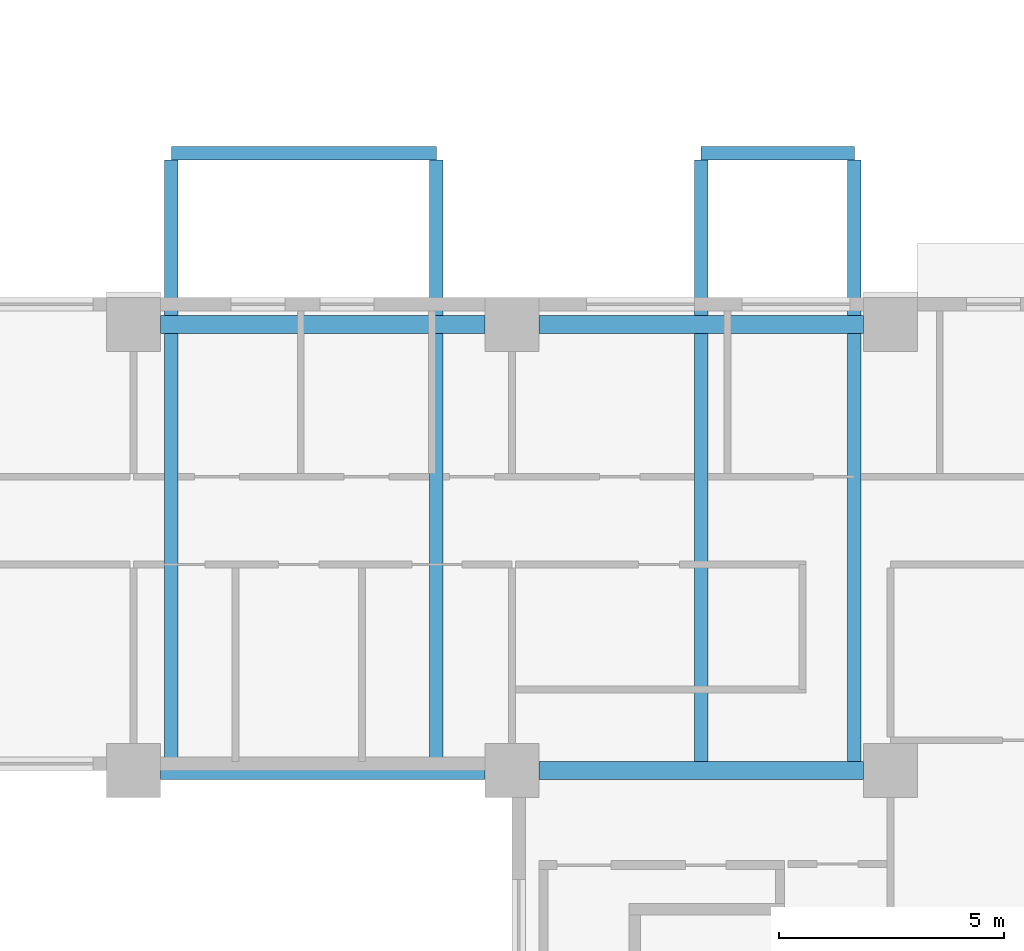
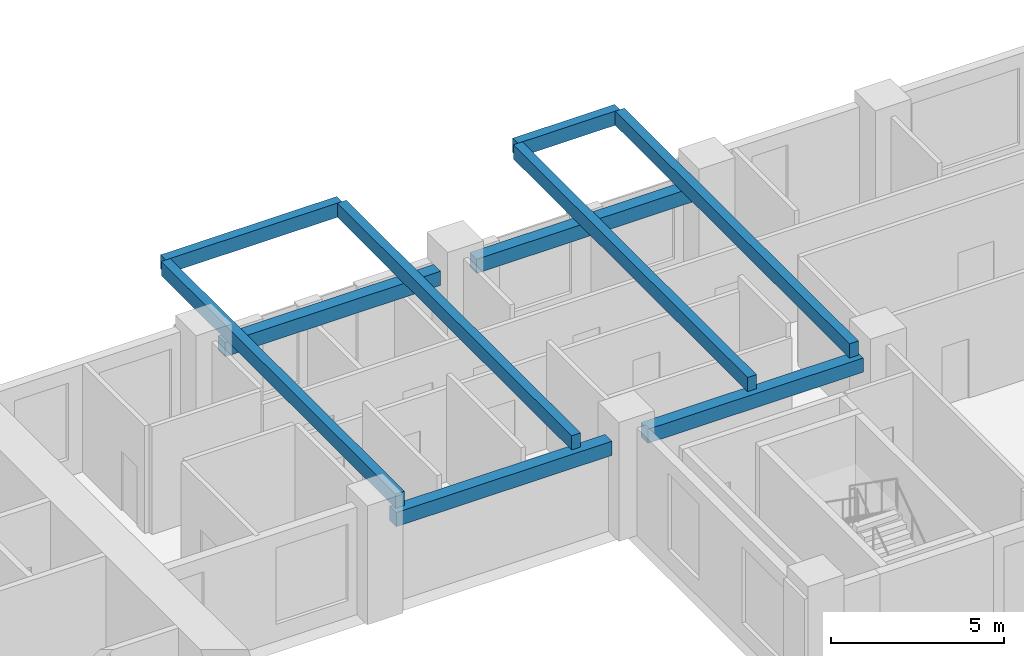
# One storey, part 3 of 18: 10 beams.
"""IFC4 building model written with IfcOpenShell, lengths in metres."""

from ifc_helpers import new_model, si_unit, direction, frame, origin, origin_2d, place, context, subcontext, project, spatial, rectangle, extrude, source, transform, mapped, material, material_profile, profile_set, type_object, element, save


model = new_model("IFC4")

# Units and contexts
model_context = context("Model", 3, precision=1e-05, world=origin(), true_north=direction((0.0, 1.0)))
body_context = subcontext(model_context, "Body", "Model", "MODEL_VIEW")
ifc_project = project(units=[si_unit("LENGTHUNIT", "METRE"), si_unit("AREAUNIT", "SQUARE_METRE"), si_unit("VOLUMEUNIT", "CUBIC_METRE"), si_unit("PLANEANGLEUNIT", "RADIAN"), si_unit("MASSUNIT", "GRAM", prefix="KILO")], contexts=[model_context])

# Site, building, storey
site_placement = place(None, origin())
site = spatial("IfcSite", under=ifc_project, at=site_placement, CompositionType="ELEMENT")
building_placement = place(site_placement, origin())
building = spatial("IfcBuilding", under=site, at=building_placement, Name="Aurelian Terraces", CompositionType="ELEMENT")
storey_placement = place(building_placement, frame((0.0, 0.0, 99.3)))
storey = spatial("IfcBuildingStorey", under=building, at=storey_placement, Name="L21", CompositionType="ELEMENT", Elevation=99.3)

# Beams
ifc_material = material(Name="Concrete fc' 40 MPa", Category="concrete")
ifc_material_profile_1 = material_profile(ifc_material, rectangle(XDim=0.3, YDim=0.5, at=origin_2d()))
ifc_profile_set_1 = profile_set([ifc_material_profile_1], Name="Concrete fc' 40 MPa")
beam_type_1 = type_object("IfcBeamType", Name="CONCRETE CANTILEVER BEAM 300X500", PredefinedType="BEAM", material=ifc_profile_set_1)
shared_shape_1 = source(origin(), body_context, "Body", "SweptSolid", [
    extrude(rectangle(XDim=0.3, YDim=0.5, at=origin_2d()), origin(), (0.0, 0.0, 1.0), 13.55),
])
for number, where, z_axis, x_axis, name in (
    (1, (30.24, 24.05, 3.55), (0.0, -1.0, 0.0), (1.0, 0.0, 0.0), "Box cantilever beam J29.1"),
    (2, (36.12, 24.05, 3.55), (0.0, -1.0, 0.0), (1.0, 0.0, 0.0), "Box cantilever beam J29.2"),
    (3, (42.0, 24.05, 3.55), (0.0, -1.0, 0.0), (1.0, 0.0, 0.0), "Box cantilever beam J30.1"),
    (4, (45.4, 24.05, 3.55), (0.0, -1.0, 0.0), (1.0, 0.0, 0.0), "Box cantilever beam J30.2"),
):
    element("IfcBeam", number, at=place(storey_placement, frame(where, z_axis=z_axis, x_axis=x_axis)), inside=storey, type_object=beam_type_1, Name=name, PredefinedType="BEAM", context=body_context, shape_type="MappedRepresentation", body=[
        mapped(shared_shape_1, transform((0.0, 0.0, 0.0), scale=1.0)),
    ])
ifc_material_profile_2 = material_profile(ifc_material, rectangle(XDim=0.4, YDim=0.5, at=origin_2d()))
ifc_profile_set_2 = profile_set([ifc_material_profile_2], Name="Concrete fc' 40 MPa")
beam_type_2 = type_object("IfcBeamType", Name="CONCRETE EDGE GIRDER 400X500", PredefinedType="BEAM", material=ifc_profile_set_2)
shared_shape_2 = source(origin(), body_context, "Body", "SweptSolid", [
    extrude(rectangle(XDim=0.4, YDim=0.5, at=origin_2d()), origin(), (0.0, 0.0, 1.0), 7.2),
])
for number, where, z_axis, x_axis, name in (
    (5, (30.0, 20.4, 3.05), (1.0, 0.0, 0.0), (0.0, 1.0, 0.0), "Box girder L21 O61"),
    (6, (30.0, 10.5, 3.05), (1.0, 0.0, 0.0), (0.0, 1.0, 0.0), "Box girder L21 I62"),
    (7, (38.4, 20.4, 3.05), (1.0, 0.0, 0.0), (0.0, 1.0, 0.0), "Box girder L21 O63"),
    (8, (38.4, 10.5, 3.05), (1.0, 0.0, 0.0), (0.0, 1.0, 0.0), "Box girder L21 I64"),
):
    element("IfcBeam", number, at=place(storey_placement, frame(where, z_axis=z_axis, x_axis=x_axis)), inside=storey, type_object=beam_type_2, Name=name, PredefinedType="BEAM", context=body_context, shape_type="MappedRepresentation", body=[
        mapped(shared_shape_2, transform((0.0, 0.0, 0.0), scale=1.0)),
    ])
shared_shape_3 = source(origin(), body_context, "Body", "SweptSolid", [
    extrude(rectangle(XDim=0.3, YDim=0.5, at=origin_2d()), origin(), (0.0, 0.0, 1.0), 3.4),
])
beam_1_placement = place(storey_placement, frame((42.0, 24.2, 3.55), z_axis=(1.0, 0.0, 0.0), x_axis=(0.0, 1.0, 0.0)))
element("IfcBeam", 9, at=beam_1_placement, inside=storey, type_object=beam_type_1, Name="Box tip beam J30", PredefinedType="BEAM", context=body_context, shape_type="MappedRepresentation", body=[
    mapped(shared_shape_3, transform((0.0, 0.0, 0.0), scale=1.0)),
])
shared_shape_4 = source(origin(), body_context, "Body", "SweptSolid", [
    extrude(rectangle(XDim=0.3, YDim=0.5, at=origin_2d()), origin(), (0.0, 0.0, 1.0), 5.88),
])
beam_2_placement = place(storey_placement, frame((30.24, 24.2, 3.55), z_axis=(1.0, 0.0, 0.0), x_axis=(0.0, 1.0, 0.0)))
element("IfcBeam", 10, at=beam_2_placement, inside=storey, type_object=beam_type_1, Name="Box tip beam J29", PredefinedType="BEAM", context=body_context, shape_type="MappedRepresentation", body=[
    mapped(shared_shape_4, transform((0.0, 0.0, 0.0), scale=1.0)),
])

save(model, "model.ifc")
